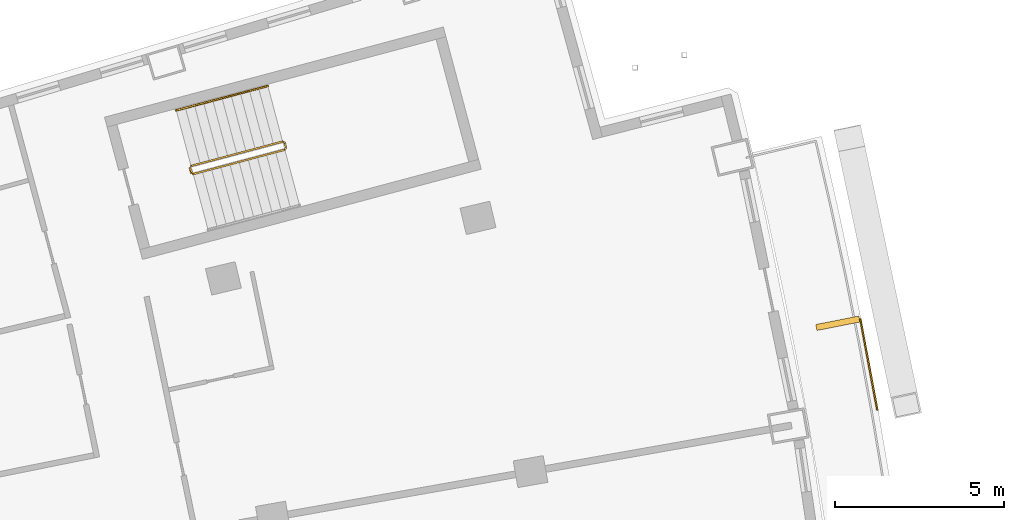
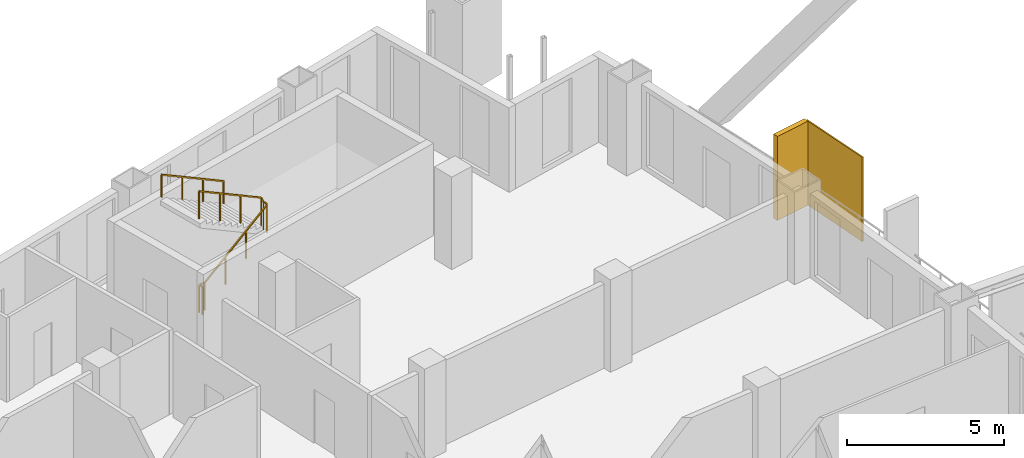
# One storey, part 19 of 19: 2 railings, 2 shading devices.
"""IFC4 building model written with IfcOpenShell, lengths in metres."""

import ifcopenshell
import ifcopenshell.guid

model = None  # the IFC model being written
_history = None  # IfcOwnerHistory: only IFC2X3 demands one
_inside = {}  # id of a spatial element -> (the spatial element, [elements in it])
_under = {}  # id of a project, library or spatial element -> (it, [spatial elements below it])
_declared = {}  # id of a project -> (the project, [libraries it declares])
_typed = {}  # id of a type object -> (the type object, [elements of that type])
_made_of = {}  # id of a material, layer set ... -> (it, [elements and type objects made of it])


def new_model(schema):
    """Start an empty IFC model of exactly this schema.

    Asked for "IFC4X3", IfcOpenShell would pick the latest addendum, in which some entities
    have other attributes; the version numbers below select the first issue.
    IFC2X3 requires an IfcOwnerHistory on every rooted entity: one is made here for all.
    """
    global model, _history
    if schema == "IFC4X3":
        model = ifcopenshell.file(schema_version=(4, 3, 0, 0))
    else:
        model = ifcopenshell.file(schema=schema)
    _inside.clear()
    _under.clear()
    _declared.clear()
    _typed.clear()
    _made_of.clear()
    _history = None
    if model.schema == "IFC2X3":
        org = make("IfcOrganization", Name="unknown")
        user = make(
            "IfcPersonAndOrganization",
            ThePerson=make("IfcPerson", FamilyName="unknown"),
            TheOrganization=org,
        )
        app = make(
            "IfcApplication",
            ApplicationDeveloper=org,
            Version="unknown",
            ApplicationFullName="unknown",
            ApplicationIdentifier="unknown",
        )
        _history = make(
            "IfcOwnerHistory",
            OwningUser=user,
            OwningApplication=app,
            ChangeAction="ADDED",
            CreationDate=0,
        )
    return model


def make(cls, **values):
    """One entity of the class cls with the attributes given. An attribute that is None is left unset."""
    return model.create_entity(
        cls, **{name: value for name, value in values.items() if value is not None}
    )


def rooted(cls, **values):
    """An entity with a GlobalId (a new one), such as an element, a storey or a relation."""
    return make(cls, GlobalId=ifcopenshell.guid.new(), OwnerHistory=_history, **values)


def si_unit(unit_type, name, prefix=None):
    """IfcSIUnit, for example si_unit("LENGTHUNIT", "METRE", prefix="MILLI")."""
    return make("IfcSIUnit", UnitType=unit_type, Prefix=prefix, Name=name)


def assignment(units):
    """IfcUnitAssignment: the units of a project."""
    return None if units is None else make("IfcUnitAssignment", Units=units)


def point(xyz):
    """IfcCartesianPoint."""
    return None if xyz is None else make("IfcCartesianPoint", Coordinates=xyz)


def direction(xyz):
    """IfcDirection."""
    return None if xyz is None else make("IfcDirection", DirectionRatios=xyz)


def frame(location, z_axis=None, x_axis=None):
    """IfcAxis2Placement3D, a coordinate frame: its origin and axes. An axis left out is left unset."""
    return make(
        "IfcAxis2Placement3D",
        Location=point(location),
        Axis=direction(z_axis),
        RefDirection=direction(x_axis),
    )


def frame_2d(location, x_axis=None):
    """IfcAxis2Placement2D, a coordinate frame in the plane: its origin and x axis."""
    return make(
        "IfcAxis2Placement2D", Location=point(location), RefDirection=direction(x_axis)
    )


def origin():
    """The frame at (0, 0, 0) with its axes left unset."""
    return frame((0.0, 0.0, 0.0))


def origin_2d():
    """The frame at (0, 0) in the plane with its x axis left unset."""
    return frame_2d((0.0, 0.0))


def place(relative_to, where):
    """IfcLocalPlacement: puts the frame where relative to a parent placement (None: the world)."""
    return make(
        "IfcLocalPlacement", PlacementRelTo=relative_to, RelativePlacement=where
    )


def context(
    kind, dimensions, precision=None, world=None, true_north=None, identifier=None
):
    """IfcGeometricRepresentationContext, for example the 3D "Model" context."""
    return make(
        "IfcGeometricRepresentationContext",
        ContextIdentifier=identifier,
        ContextType=kind,
        CoordinateSpaceDimension=dimensions,
        Precision=precision,
        WorldCoordinateSystem=world,
        TrueNorth=true_north,
    )


def subcontext(parent, identifier, kind, view, scale=None):
    """IfcGeometricRepresentationSubContext, for example "Body" below "Model"."""
    return make(
        "IfcGeometricRepresentationSubContext",
        ContextIdentifier=identifier,
        ContextType=kind,
        ParentContext=parent,
        TargetScale=scale,
        TargetView=view,
    )


def project(units=None, contexts=None):
    """IfcProject with its units and contexts."""
    return rooted(
        "IfcProject",
        Name="project",
        RepresentationContexts=contexts,
        UnitsInContext=assignment(units),
    )


def spatial(cls, under=None, at=None, **own):
    """A site, building, storey or space (cls), placed at a placement, below another one or the project."""
    s = rooted(cls, ObjectPlacement=at, **own)
    if under is not None:
        _under.setdefault(under.id(), (under, []))[1].append(s)
    return s


def profile(cls, at=None, kind="AREA", **sizes):
    """A parametric profile (cls). Its sizes go by their IFC names, for example OverallWidth=200.0."""
    return make(cls, ProfileType=kind, Position=at, **sizes)


def rectangle(**sizes):
    """IfcRectangleProfileDef."""
    return profile("IfcRectangleProfileDef", **sizes)


def extrude(swept, where, along, depth):
    """IfcExtrudedAreaSolid: the profile swept, set in the frame where, extruded along a direction by depth."""
    return make(
        "IfcExtrudedAreaSolid",
        SweptArea=swept,
        Position=where,
        ExtrudedDirection=direction(along),
        Depth=depth,
    )


def shape(context_of_items, identifier, shape_type, items):
    """IfcShapeRepresentation: the items that make up one representation, for example the "Body"."""
    return make(
        "IfcShapeRepresentation",
        ContextOfItems=context_of_items,
        RepresentationIdentifier=identifier,
        RepresentationType=shape_type,
        Items=items,
    )


def material(Name=None, Category=None):
    """IfcMaterial."""
    return make("IfcMaterial", Name=Name, Category=Category)


def layer(
    of_material, thickness, ventilated=None, Name=None, Category=None, Priority=None
):
    """IfcMaterialLayer: one layer of a wall or slab, of a material (None: an air gap)."""
    return make(
        "IfcMaterialLayer",
        Material=of_material,
        LayerThickness=thickness,
        IsVentilated=ventilated,
        Name=Name,
        Category=Category,
        Priority=Priority,
    )


def layer_set(layers, Name=None):
    """IfcMaterialLayerSet."""
    return make("IfcMaterialLayerSet", MaterialLayers=layers, LayerSetName=Name)


def made_of(thing, what):
    """Note that an element or type object is made of a material, layer set ...; save() writes the relation."""
    if what is not None:
        _made_of.setdefault(what.id(), (what, []))[1].append(thing)
    return thing


def type_object(cls, material=None, **own):
    """A type object (cls), such as IfcWallType, which elements share."""
    return made_of(rooted(cls, **own), material)


def element(
    cls,
    number,
    at=None,
    inside=None,
    cuts=None,
    type_object=None,
    material=None,
    context=None,
    identifier="Body",
    shape_type=None,
    held_by="IfcProductDefinitionShape",
    body=None,
    shapes=None,
    **own,
):
    """One element of the class cls, such as IfcWall. Its Tag is "e" and its number.

    at: its placement. inside: the storey or other place that contains it. cuts: it is an
    opening in that element (IfcRelVoidsElement). A single representation is given by context,
    identifier, shape_type and body (its items); several are given by shapes. held_by: the class
    of the entity that holds the representations. save() writes the other relations.
    """
    e = rooted(cls, Tag="e%d" % number, ObjectPlacement=at, **own)
    if body is not None:
        shapes = [shape(context, identifier, shape_type, body)]
    if shapes is not None:
        e.Representation = make(held_by, Representations=shapes)
    if inside is not None:
        _inside.setdefault(inside.id(), (inside, []))[1].append(e)
    if cuts is not None:
        rooted(
            "IfcRelVoidsElement", RelatingBuildingElement=cuts, RelatedOpeningElement=e
        )
    if type_object is not None:
        _typed.setdefault(type_object.id(), (type_object, []))[1].append(e)
    return made_of(e, material)


def aggregate(whole, parts):
    """IfcRelAggregates: a whole, such as a stair, and the parts it consists of."""
    return rooted("IfcRelAggregates", RelatingObject=whole, RelatedObjects=parts)


def save(model, path):
    """Write the relations noted so far, then the file.

    IfcRelAggregates (storeys below a building ...), IfcRelContainedInSpatialStructure (elements
    in a storey), IfcRelDefinesByType, IfcRelAssociatesMaterial and IfcRelDeclares: one each for
    every whole, place, type object, material and project.
    """
    for whole, parts in _under.values():
        aggregate(whole, parts)
    for where, things in _inside.values():
        rooted(
            "IfcRelContainedInSpatialStructure",
            RelatedElements=things,
            RelatingStructure=where,
        )
    for kind, things in _typed.values():
        rooted("IfcRelDefinesByType", RelatedObjects=things, RelatingType=kind)
    for what, things in _made_of.values():
        rooted("IfcRelAssociatesMaterial", RelatedObjects=things, RelatingMaterial=what)
    for by, libraries in _declared.values():
        rooted("IfcRelDeclares", RelatingContext=by, RelatedDefinitions=libraries)
    model.write(path)


model = new_model("IFC4")

# Units and contexts
model_context = context("Model", 3, precision=1e-05, world=origin(), true_north=direction((0.0, 1.0)))
body_context = subcontext(model_context, "Body", "Model", "MODEL_VIEW")
ifc_project = project(units=[si_unit("LENGTHUNIT", "METRE"), si_unit("AREAUNIT", "SQUARE_METRE"), si_unit("VOLUMEUNIT", "CUBIC_METRE"), si_unit("PLANEANGLEUNIT", "RADIAN"), si_unit("MASSUNIT", "GRAM", prefix="KILO")], contexts=[model_context])

# Site, building, storey
site_placement = place(None, origin())
site = spatial("IfcSite", under=ifc_project, at=site_placement, CompositionType="ELEMENT")
building_placement = place(site_placement, origin())
building = spatial("IfcBuilding", under=site, at=building_placement, Name="Alderwake Tower", CompositionType="ELEMENT")
storey_placement = place(building_placement, frame((0.0, 0.0, 171.199951171875)))
storey = spatial("IfcBuildingStorey", under=building, at=storey_placement, Name="L42", CompositionType="ELEMENT", Elevation=171.199951171875)

# Shading devices
ifc_material_1 = material(Name="Bronze anodised aluminium", Category="aluminium")
ifc_layer_1 = layer(ifc_material_1, 0.179931640625)
ifc_layer_set_1 = layer_set([ifc_layer_1], Name="Facade fin 1300")
shading_device_type_1 = type_object("IfcShadingDeviceType", Name="Facade fin 1300", PredefinedType="USERDEFINED", material=ifc_layer_set_1)
shading_device_1_placement = place(storey_placement, frame((58.343994140625, 88.238037109375, 0.0), z_axis=(0.0, 0.0, 1.0), x_axis=(0.981163751315, 0.193177879441, 0.0)))
element("IfcShadingDevice", 1, at=shading_device_1_placement, inside=storey, type_object=shading_device_type_1, Name="Fin", ObjectType="FIN", PredefinedType="USERDEFINED", context=body_context, shape_type="SweptSolid", body=[
    extrude(rectangle(XDim=1.300048828125, YDim=0.179931640625, at=origin_2d()), origin(), (0.0, 0.0, 1.0), 3.280029296875),
])
ifc_material_2 = material(Name="Perforated bronze anodised aluminium", Category="aluminium")
ifc_layer_2 = layer(ifc_material_2, 0.050048828125)
ifc_layer_set_2 = layer_set([ifc_layer_2], Name="Perforated screen panel")
shading_device_type_2 = type_object("IfcShadingDeviceType", Name="Perforated screen panel", PredefinedType="USERDEFINED", material=ifc_layer_set_2)
shading_device_2_placement = place(storey_placement, frame((59.2587890625, 87.017578125, 0.0), z_axis=(0.0, 0.0, 1.0), x_axis=(0.982991488043, 0.183651121519, 0.0)))
element("IfcShadingDevice", 2, at=shading_device_2_placement, inside=storey, type_object=shading_device_type_2, Name="Screen panel", ObjectType="SCREEN", PredefinedType="USERDEFINED", context=body_context, shape_type="SweptSolid", body=[
    extrude(rectangle(XDim=0.050048828125, YDim=2.74853515625, at=origin_2d()), origin(), (0.0, 0.0, 1.0), 3.280029296875),
])

# Railings
ifc_material_3 = material(Name="Stainless steel guard", Category="steel")
railing_type_1 = type_object("IfcRailingType", Name="Stair guard 1100", PredefinedType="GUARDRAIL", material=ifc_material_3)
railing_1_placement = place(storey_placement, frame((39.23291015625, 92.6806640625, 0.0)))
element("IfcRailing", 3, at=railing_1_placement, inside=storey, type_object=railing_type_1, Name="L42 ST-A stair guard 1", PredefinedType="GUARDRAIL", context=body_context, shape_type="SweptSolid", body=[
    extrude(rectangle(XDim=0.048095703125, YDim=0.048095703125, at=origin_2d()), frame((0.0, 0.0, 1.076171875), z_axis=(-0.257055032184, 0.966396766566, 0.0), x_axis=(-0.966396766566, -0.257055032184, 0.0)), (0.0, 0.0, 1.0), 0.150146484375),
    extrude(rectangle(XDim=0.048095703125, YDim=0.048095703125, at=origin_2d()), frame((-0.03857421875, 0.14501953125, 1.076171875), z_axis=(0.379370725808, -0.685464465458, 0.621463047167), x_axis=(0.874937996095, 0.484234966715, 0.0)), (0.0, 0.0, 1.0), 0.26318359375),
    extrude(rectangle(XDim=0.048095703125, YDim=0.048095703125, at=origin_2d()), frame((0.061279296875, -0.035400390625, 1.23974609375), z_axis=(0.834258940753, 0.22222815314, 0.504605457487), x_axis=(-0.257402139082, 0.966304371715, 0.0)), (0.0, 0.0, 1.0), 3.2431640625),
    extrude(rectangle(XDim=0.048095703125, YDim=0.048095703125, at=origin_2d()), frame((2.766845703125, 0.685302734375, 2.8759765625), z_axis=(0.500220121494, 0.865898279276, 0.0), x_axis=(-0.865898279276, 0.500220121494, 0.0)), (0.0, 0.0, 1.0), 0.07080078125),
    extrude(rectangle(XDim=0.048095703125, YDim=0.048095703125, at=origin_2d()), frame((2.80224609375, 0.74658203125, 2.8759765625), z_axis=(-0.257459803502, 0.966289009345, 0.0), x_axis=(-0.966289009345, -0.257459803502, 0.0)), (0.0, 0.0, 1.0), 0.14990234375),
    extrude(rectangle(XDim=0.048095703125, YDim=0.048095703125, at=origin_2d()), frame((2.763671875, 0.891357421875, 2.8759765625), z_axis=(-0.34252489212, 0.200034536998, 0.917966710881), x_axis=(-0.504300490226, -0.863528236688, 0.0)), (0.0, 0.0, 1.0), 0.17822265625),
    extrude(rectangle(XDim=0.048095703125, YDim=0.048095703125, at=origin_2d()), frame((2.70263671875, 0.927001953125, 3.03955078125), z_axis=(-0.834281824786, -0.222214197128, 0.504573768072), x_axis=(0.257380452725, -0.966310148221, 0.0)), (0.0, 0.0, 1.0), 3.2431640625),
    extrude(rectangle(XDim=0.0419921875, YDim=0.0419921875, at=origin_2d()), frame((0.0, 0.0, 0.0), z_axis=(0.0, 0.0, 1.0), x_axis=(-0.257055032184, 0.966396766566, 0.0)), (0.0, 0.0, 1.0), 1.052001953125),
    extrude(rectangle(XDim=0.0419921875, YDim=0.0419921875, at=origin_2d()), frame((-0.03857421875, 0.14501953125, 0.0), z_axis=(0.0, 0.0, 1.0), x_axis=(0.484234966715, -0.874937996095, 0.0)), (0.0, 0.0, 1.0), 1.052001953125),
    extrude(rectangle(XDim=0.0419921875, YDim=0.0419921875, at=origin_2d()), frame((0.061279296875, -0.035400390625, 0.16357421875), z_axis=(0.0, 0.0, 1.0), x_axis=(0.966304371715, 0.257402139082, 0.0)), (0.0, 0.0, 1.0), 1.052001953125),
    extrude(rectangle(XDim=0.0419921875, YDim=0.0419921875, at=origin_2d()), frame((0.963134765625, 0.204833984375, 0.708984375), z_axis=(0.0, 0.0, 1.0), x_axis=(0.966304371715, 0.257402139082, 0.0)), (0.0, 0.0, 1.0), 1.052001953125),
    extrude(rectangle(XDim=0.0419921875, YDim=0.0419921875, at=origin_2d()), frame((1.864990234375, 0.445068359375, 1.254638671875), z_axis=(0.0, 0.0, 1.0), x_axis=(0.966304371715, 0.257402139082, 0.0)), (0.0, 0.0, 1.0), 1.052001953125),
    extrude(rectangle(XDim=0.0419921875, YDim=0.0419921875, at=origin_2d()), frame((2.766845703125, 0.685302734375, 1.800048828125), z_axis=(0.0, 0.0, 1.0), x_axis=(0.500220121494, 0.865898279276, 0.0)), (0.0, 0.0, 1.0), 1.052001953125),
    extrude(rectangle(XDim=0.0419921875, YDim=0.0419921875, at=origin_2d()), frame((2.80224609375, 0.74658203125, 1.800048828125), z_axis=(0.0, 0.0, 1.0), x_axis=(-0.257459803502, 0.966289009345, 0.0)), (0.0, 0.0, 1.0), 1.052001953125),
    extrude(rectangle(XDim=0.0419921875, YDim=0.0419921875, at=origin_2d()), frame((2.763671875, 0.891357421875, 1.800048828125), z_axis=(0.0, 0.0, 1.0), x_axis=(-0.863528236688, 0.504300490226, 0.0)), (0.0, 0.0, 1.0), 1.052001953125),
    extrude(rectangle(XDim=0.0419921875, YDim=0.0419921875, at=origin_2d()), frame((2.70263671875, 0.927001953125, 1.963623046875), z_axis=(0.0, 0.0, 1.0), x_axis=(-0.966310148221, -0.257380452725, 0.0)), (0.0, 0.0, 1.0), 1.052001953125),
    extrude(rectangle(XDim=0.0419921875, YDim=0.0419921875, at=origin_2d()), frame((1.80078125, 0.686767578125, 2.509033203125), z_axis=(0.0, 0.0, 1.0), x_axis=(-0.966310148221, -0.257380452725, 0.0)), (0.0, 0.0, 1.0), 1.052001953125),
    extrude(rectangle(XDim=0.0419921875, YDim=0.0419921875, at=origin_2d()), frame((0.898681640625, 0.446533203125, 3.0546875), z_axis=(0.0, 0.0, 1.0), x_axis=(-0.966310148221, -0.257380452725, 0.0)), (0.0, 0.0, 1.0), 1.052001953125),
    extrude(rectangle(XDim=0.0419921875, YDim=0.0419921875, at=origin_2d()), frame((-0.003173828125, 0.206298828125, 3.60009765625), z_axis=(0.0, 0.0, 1.0), x_axis=(-0.966310148221, -0.257380452725, 0.0)), (0.0, 0.0, 1.0), 1.052001953125),
])
ifc_material_4 = material(Name="Stainless steel handrail", Category="steel")
railing_type_2 = type_object("IfcRailingType", Name="Stair handrail 900", PredefinedType="HANDRAIL", material=ifc_material_4)
railing_2_placement = place(storey_placement, frame((41.497802734375, 95.250244140625, 1.963623046875)))
element("IfcRailing", 4, at=railing_2_placement, inside=storey, type_object=railing_type_2, Name="L42 ST-A stair handrail 2", PredefinedType="HANDRAIL", context=body_context, shape_type="SweptSolid", body=[
    extrude(rectangle(XDim=0.048095703125, YDim=0.048095703125, at=origin_2d()), frame((0.0, 0.0, 0.8759765625), z_axis=(-0.834258940753, -0.22222815314, 0.504605457487), x_axis=(0.257402139082, -0.966304371715, 0.0)), (0.0, 0.0, 1.0), 3.2431640625),
    extrude(rectangle(XDim=0.0419921875, YDim=0.0419921875, at=origin_2d()), frame((0.0, 0.0, 0.0), z_axis=(0.0, 0.0, 1.0), x_axis=(-0.966304371715, -0.257402139082, 0.0)), (0.0, 0.0, 1.0), 0.851806640625),
    extrude(rectangle(XDim=0.0419921875, YDim=0.0419921875, at=origin_2d()), frame((-0.90185546875, -0.240234375, 0.54541015625), z_axis=(0.0, 0.0, 1.0), x_axis=(-0.966304371715, -0.257402139082, 0.0)), (0.0, 0.0, 1.0), 0.851806640625),
    extrude(rectangle(XDim=0.0419921875, YDim=0.0419921875, at=origin_2d()), frame((-1.8037109375, -0.48046875, 1.091064453125), z_axis=(0.0, 0.0, 1.0), x_axis=(-0.966304371715, -0.257402139082, 0.0)), (0.0, 0.0, 1.0), 0.851806640625),
    extrude(rectangle(XDim=0.0419921875, YDim=0.0419921875, at=origin_2d()), frame((-2.70556640625, -0.720703125, 1.636474609375), z_axis=(0.0, 0.0, 1.0), x_axis=(-0.966304371715, -0.257402139082, 0.0)), (0.0, 0.0, 1.0), 0.851806640625),
])

save(model, "model.ifc")
